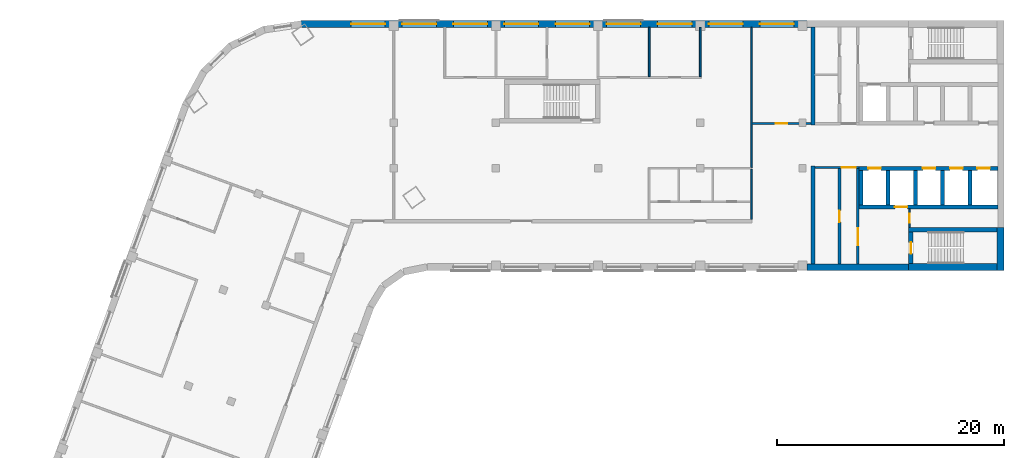
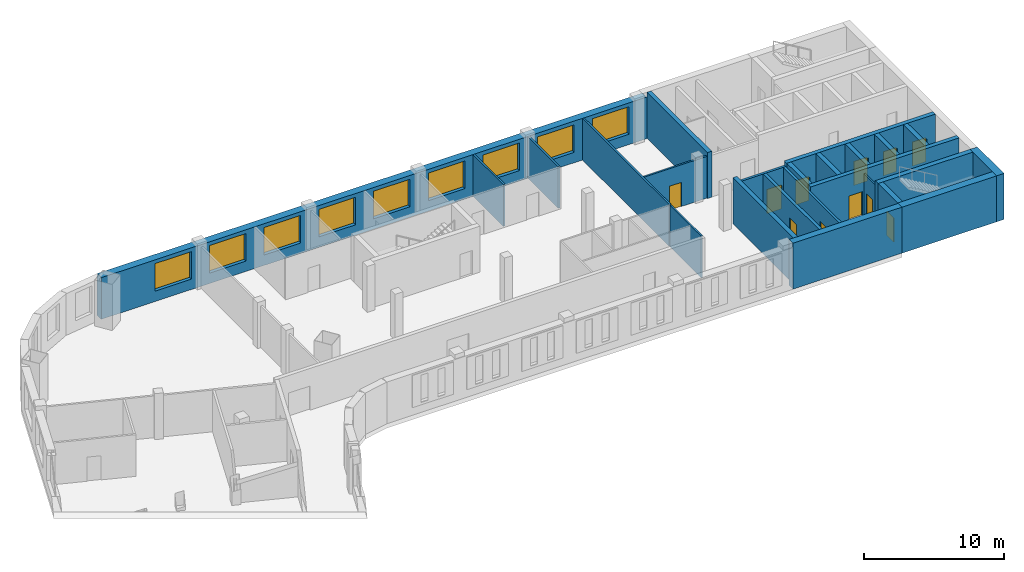
# One storey, part 5 of 8: 24 walls, 11 doors, 9 windows, 20 openings.
"""IFC4 building model written with IfcOpenShell, lengths in metres."""

import ifcopenshell
import ifcopenshell.guid

model = None  # the IFC model being written
_history = None  # IfcOwnerHistory: only IFC2X3 demands one
_inside = {}  # id of a spatial element -> (the spatial element, [elements in it])
_under = {}  # id of a project, library or spatial element -> (it, [spatial elements below it])
_declared = {}  # id of a project -> (the project, [libraries it declares])
_typed = {}  # id of a type object -> (the type object, [elements of that type])
_made_of = {}  # id of a material, layer set ... -> (it, [elements and type objects made of it])


def new_model(schema):
    """Start an empty IFC model of exactly this schema.

    Asked for "IFC4X3", IfcOpenShell would pick the latest addendum, in which some entities
    have other attributes; the version numbers below select the first issue.
    IFC2X3 requires an IfcOwnerHistory on every rooted entity: one is made here for all.
    """
    global model, _history
    if schema == "IFC4X3":
        model = ifcopenshell.file(schema_version=(4, 3, 0, 0))
    else:
        model = ifcopenshell.file(schema=schema)
    _inside.clear()
    _under.clear()
    _declared.clear()
    _typed.clear()
    _made_of.clear()
    _history = None
    if model.schema == "IFC2X3":
        org = make("IfcOrganization", Name="unknown")
        user = make(
            "IfcPersonAndOrganization",
            ThePerson=make("IfcPerson", FamilyName="unknown"),
            TheOrganization=org,
        )
        app = make(
            "IfcApplication",
            ApplicationDeveloper=org,
            Version="unknown",
            ApplicationFullName="unknown",
            ApplicationIdentifier="unknown",
        )
        _history = make(
            "IfcOwnerHistory",
            OwningUser=user,
            OwningApplication=app,
            ChangeAction="ADDED",
            CreationDate=0,
        )
    return model


def make(cls, **values):
    """One entity of the class cls with the attributes given. An attribute that is None is left unset."""
    return model.create_entity(
        cls, **{name: value for name, value in values.items() if value is not None}
    )


def rooted(cls, **values):
    """An entity with a GlobalId (a new one), such as an element, a storey or a relation."""
    return make(cls, GlobalId=ifcopenshell.guid.new(), OwnerHistory=_history, **values)


def si_unit(unit_type, name, prefix=None):
    """IfcSIUnit, for example si_unit("LENGTHUNIT", "METRE", prefix="MILLI")."""
    return make("IfcSIUnit", UnitType=unit_type, Prefix=prefix, Name=name)


def assignment(units):
    """IfcUnitAssignment: the units of a project."""
    return None if units is None else make("IfcUnitAssignment", Units=units)


def point(xyz):
    """IfcCartesianPoint."""
    return None if xyz is None else make("IfcCartesianPoint", Coordinates=xyz)


def direction(xyz):
    """IfcDirection."""
    return None if xyz is None else make("IfcDirection", DirectionRatios=xyz)


def frame(location, z_axis=None, x_axis=None):
    """IfcAxis2Placement3D, a coordinate frame: its origin and axes. An axis left out is left unset."""
    return make(
        "IfcAxis2Placement3D",
        Location=point(location),
        Axis=direction(z_axis),
        RefDirection=direction(x_axis),
    )


def frame_2d(location, x_axis=None):
    """IfcAxis2Placement2D, a coordinate frame in the plane: its origin and x axis."""
    return make(
        "IfcAxis2Placement2D", Location=point(location), RefDirection=direction(x_axis)
    )


def origin():
    """The frame at (0, 0, 0) with its axes left unset."""
    return frame((0.0, 0.0, 0.0))


def place(relative_to, where):
    """IfcLocalPlacement: puts the frame where relative to a parent placement (None: the world)."""
    return make(
        "IfcLocalPlacement", PlacementRelTo=relative_to, RelativePlacement=where
    )


def context(
    kind, dimensions, precision=None, world=None, true_north=None, identifier=None
):
    """IfcGeometricRepresentationContext, for example the 3D "Model" context."""
    return make(
        "IfcGeometricRepresentationContext",
        ContextIdentifier=identifier,
        ContextType=kind,
        CoordinateSpaceDimension=dimensions,
        Precision=precision,
        WorldCoordinateSystem=world,
        TrueNorth=true_north,
    )


def subcontext(parent, identifier, kind, view, scale=None):
    """IfcGeometricRepresentationSubContext, for example "Body" below "Model"."""
    return make(
        "IfcGeometricRepresentationSubContext",
        ContextIdentifier=identifier,
        ContextType=kind,
        ParentContext=parent,
        TargetScale=scale,
        TargetView=view,
    )


def project(units=None, contexts=None):
    """IfcProject with its units and contexts."""
    return rooted(
        "IfcProject",
        Name="project",
        RepresentationContexts=contexts,
        UnitsInContext=assignment(units),
    )


def spatial(cls, under=None, at=None, **own):
    """A site, building, storey or space (cls), placed at a placement, below another one or the project."""
    s = rooted(cls, ObjectPlacement=at, **own)
    if under is not None:
        _under.setdefault(under.id(), (under, []))[1].append(s)
    return s


def profile(cls, at=None, kind="AREA", **sizes):
    """A parametric profile (cls). Its sizes go by their IFC names, for example OverallWidth=200.0."""
    return make(cls, ProfileType=kind, Position=at, **sizes)


def rectangle(**sizes):
    """IfcRectangleProfileDef."""
    return profile("IfcRectangleProfileDef", **sizes)


def extrude(swept, where, along, depth):
    """IfcExtrudedAreaSolid: the profile swept, set in the frame where, extruded along a direction by depth."""
    return make(
        "IfcExtrudedAreaSolid",
        SweptArea=swept,
        Position=where,
        ExtrudedDirection=direction(along),
        Depth=depth,
    )


def shape(context_of_items, identifier, shape_type, items):
    """IfcShapeRepresentation: the items that make up one representation, for example the "Body"."""
    return make(
        "IfcShapeRepresentation",
        ContextOfItems=context_of_items,
        RepresentationIdentifier=identifier,
        RepresentationType=shape_type,
        Items=items,
    )


def material(Name=None, Category=None):
    """IfcMaterial."""
    return make("IfcMaterial", Name=Name, Category=Category)


def layer(
    of_material, thickness, ventilated=None, Name=None, Category=None, Priority=None
):
    """IfcMaterialLayer: one layer of a wall or slab, of a material (None: an air gap)."""
    return make(
        "IfcMaterialLayer",
        Material=of_material,
        LayerThickness=thickness,
        IsVentilated=ventilated,
        Name=Name,
        Category=Category,
        Priority=Priority,
    )


def layer_set(layers, Name=None):
    """IfcMaterialLayerSet."""
    return make("IfcMaterialLayerSet", MaterialLayers=layers, LayerSetName=Name)


def made_of(thing, what):
    """Note that an element or type object is made of a material, layer set ...; save() writes the relation."""
    if what is not None:
        _made_of.setdefault(what.id(), (what, []))[1].append(thing)
    return thing


def type_object(cls, material=None, **own):
    """A type object (cls), such as IfcWallType, which elements share."""
    return made_of(rooted(cls, **own), material)


def element(
    cls,
    number,
    at=None,
    inside=None,
    cuts=None,
    type_object=None,
    material=None,
    context=None,
    identifier="Body",
    shape_type=None,
    held_by="IfcProductDefinitionShape",
    body=None,
    shapes=None,
    **own,
):
    """One element of the class cls, such as IfcWall. Its Tag is "e" and its number.

    at: its placement. inside: the storey or other place that contains it. cuts: it is an
    opening in that element (IfcRelVoidsElement). A single representation is given by context,
    identifier, shape_type and body (its items); several are given by shapes. held_by: the class
    of the entity that holds the representations. save() writes the other relations.
    """
    e = rooted(cls, Tag="e%d" % number, ObjectPlacement=at, **own)
    if body is not None:
        shapes = [shape(context, identifier, shape_type, body)]
    if shapes is not None:
        e.Representation = make(held_by, Representations=shapes)
    if inside is not None:
        _inside.setdefault(inside.id(), (inside, []))[1].append(e)
    if cuts is not None:
        rooted(
            "IfcRelVoidsElement", RelatingBuildingElement=cuts, RelatedOpeningElement=e
        )
    if type_object is not None:
        _typed.setdefault(type_object.id(), (type_object, []))[1].append(e)
    return made_of(e, material)


def fill(opening, filler):
    """IfcRelFillsElement: the door or window that sits in an opening."""
    return rooted(
        "IfcRelFillsElement",
        RelatingOpeningElement=opening,
        RelatedBuildingElement=filler,
    )


def aggregate(whole, parts):
    """IfcRelAggregates: a whole, such as a stair, and the parts it consists of."""
    return rooted("IfcRelAggregates", RelatingObject=whole, RelatedObjects=parts)


def save(model, path):
    """Write the relations noted so far, then the file.

    IfcRelAggregates (storeys below a building ...), IfcRelContainedInSpatialStructure (elements
    in a storey), IfcRelDefinesByType, IfcRelAssociatesMaterial and IfcRelDeclares: one each for
    every whole, place, type object, material and project.
    """
    for whole, parts in _under.values():
        aggregate(whole, parts)
    for where, things in _inside.values():
        rooted(
            "IfcRelContainedInSpatialStructure",
            RelatedElements=things,
            RelatingStructure=where,
        )
    for kind, things in _typed.values():
        rooted("IfcRelDefinesByType", RelatedObjects=things, RelatingType=kind)
    for what, things in _made_of.values():
        rooted("IfcRelAssociatesMaterial", RelatedObjects=things, RelatingMaterial=what)
    for by, libraries in _declared.values():
        rooted("IfcRelDeclares", RelatingContext=by, RelatedDefinitions=libraries)
    model.write(path)


model = new_model("IFC4")

# Units and contexts
model_context = context("Model", 3, precision=1e-05, world=origin(), true_north=direction((0.0, 1.0)))
body_context = subcontext(model_context, "Body", "Model", "MODEL_VIEW")
ifc_project = project(units=[si_unit("LENGTHUNIT", "METRE"), si_unit("AREAUNIT", "SQUARE_METRE"), si_unit("VOLUMEUNIT", "CUBIC_METRE"), si_unit("PLANEANGLEUNIT", "RADIAN"), si_unit("MASSUNIT", "GRAM", prefix="KILO")], contexts=[model_context])

# Site, building, storey
site_placement = place(None, origin())
site = spatial("IfcSite", under=ifc_project, at=site_placement, CompositionType="ELEMENT")
building_placement = place(site_placement, origin())
building = spatial("IfcBuilding", under=site, at=building_placement, Name="Skarvind Civic Tower", CompositionType="ELEMENT")
storey_placement = place(building_placement, frame((0.0, 0.0, 134.5)))
storey = spatial("IfcBuildingStorey", under=building, at=storey_placement, Name="L31", CompositionType="ELEMENT", Elevation=134.5)

# Wall, opening, door
ifc_material_1 = material(Name="Fire-rated masonry partition", Category="masonry")
ifc_layer_1 = layer(ifc_material_1, 0.199951171875)
ifc_layer_set_1 = layer_set([ifc_layer_1], Name="Core enclosure wall 200")
wall_type_1 = type_object("IfcWallType", Name="Core enclosure wall 200", PredefinedType="PARTITIONING", material=ifc_layer_set_1)
wall_1_placement = place(storey_placement, frame((95.22509765625, 126.074951171875, 0.0), z_axis=(0.0, 0.0, 1.0), x_axis=(-1.0, 0.0, 0.0)))
wall_1 = element("IfcWall", 1, at=wall_1_placement, inside=storey, type_object=wall_type_1, Name="Core wall C1", PredefinedType="PARTITIONING", context=body_context, shape_type="SweptSolid", body=[
    extrude(rectangle(XDim=3.875, YDim=0.199951171875, at=frame_2d((1.9375, 0.0))), origin(), (0.0, 0.0, 1.0), 3.625),
])
opening_1_placement = place(wall_1_placement, frame((0.300048828125, 0.0, 0.0)))
opening_1 = element("IfcOpeningElement", 2, at=opening_1_placement, cuts=wall_1, Name="Opening D-L31-C1-07", PredefinedType="OPENING", context=body_context, shape_type="SweptSolid", body=[
    extrude(rectangle(XDim=1.199951171875, YDim=2.10009765625, at=frame_2d((0.60009765625, 1.050048828125))), frame((0.0, 0.10986328125, 0.0), z_axis=(0.0, -1.0, 0.0), x_axis=(1.0, 0.0, 0.0)), (0.0, 0.0, 1.0), 0.219970703125),
])
ifc_material_2 = material(Name="Fire-rated steel door", Category="steel")
door_type_1 = type_object("IfcDoorType", Name="Core lobby door 1200", OperationType="NOTDEFINED", PredefinedType="DOOR", material=ifc_material_2)
door_1_placement = place(opening_1_placement, origin())
door_1 = element("IfcDoor", 3, at=door_1_placement, inside=storey, type_object=door_type_1, Name="Fire door", OperationType="DOUBLE_DOOR_SINGLE_SWING", OverallHeight=2.10009765625, OverallWidth=1.199951171875, PredefinedType="DOOR", context=body_context, shape_type="SweptSolid", body=[
    extrude(rectangle(XDim=1.199951171875, YDim=2.10009765625, at=frame_2d((0.60009765625, 1.050048828125))), frame((0.0, 0.02490234375, 0.0), z_axis=(0.0, -1.0, 0.0), x_axis=(1.0, 0.0, 0.0)), (0.0, 0.0, 1.0), 0.050048828125),
])
fill(opening_1, door_1)

wall_2_placement = place(storey_placement, frame((95.125, 117.550048828125, 0.0), z_axis=(0.0, 0.0, 1.0), x_axis=(0.0, 1.0, 0.0)))
wall_2 = element("IfcWall", 4, at=wall_2_placement, inside=storey, type_object=wall_type_1, Name="Core wall C1", PredefinedType="PARTITIONING", context=body_context, shape_type="SweptSolid", body=[
    extrude(rectangle(XDim=8.425048828125, YDim=0.199951171875, at=frame_2d((4.21240234375, 0.0))), origin(), (0.0, 0.0, 1.0), 3.625),
])
opening_2_placement = place(wall_2_placement, frame((1.6875, 0.0, 0.0)))
opening_2 = element("IfcOpeningElement", 5, at=opening_2_placement, cuts=wall_2, Name="Opening D-L31-C1-08", PredefinedType="OPENING", context=body_context, shape_type="SweptSolid", body=[
    extrude(rectangle(XDim=1.5, YDim=2.10009765625, at=frame_2d((0.75, 1.050048828125))), frame((0.0, 0.10986328125, 0.0), z_axis=(0.0, -1.0, 0.0), x_axis=(1.0, 0.0, 0.0)), (0.0, 0.0, 1.0), 0.219970703125),
])
door_type_2 = type_object("IfcDoorType", Name="Fire door 1500", OperationType="NOTDEFINED", PredefinedType="DOOR", material=ifc_material_2)
door_2_placement = place(opening_2_placement, origin())
door_2 = element("IfcDoor", 6, at=door_2_placement, inside=storey, type_object=door_type_2, Name="Fire door", OperationType="DOUBLE_DOOR_SINGLE_SWING", OverallHeight=2.10009765625, OverallWidth=1.5, PredefinedType="DOOR", context=body_context, shape_type="SweptSolid", body=[
    extrude(rectangle(XDim=1.5, YDim=2.10009765625, at=frame_2d((0.75, 1.050048828125))), frame((0.0, 0.02490234375, 0.0), z_axis=(0.0, -1.0, 0.0), x_axis=(1.0, 0.0, 0.0)), (0.0, 0.0, 1.0), 0.050048828125),
])
fill(opening_2, door_2)

# Wall, openings, doors
ifc_material_3 = material(Name="Concrete C60", Category="concrete")
ifc_layer_2 = layer(ifc_material_3, 0.35009765625)
ifc_layer_set_2 = layer_set([ifc_layer_2], Name="Core wall 350 C60")
wall_type_2 = type_object("IfcWallType", Name="Core wall 350 C60", PredefinedType="SHEAR", material=ifc_layer_set_2)
wall_3_placement = place(storey_placement, frame((107.449951171875, 126.0, 0.0), z_axis=(0.0, 0.0, 1.0), x_axis=(-1.0, 0.0, 0.0)))
wall_3 = element("IfcWall", 7, at=wall_3_placement, inside=storey, type_object=wall_type_2, Name="Core wall C1 north lift row front L31", PredefinedType="SHEAR", context=body_context, shape_type="SweptSolid", body=[
    extrude(rectangle(XDim=12.224853515625, YDim=0.35009765625, at=frame_2d((6.1123046875, 0.0))), origin(), (0.0, 0.0, 1.0), 4.0),
])
opening_3_placement = place(wall_3_placement, frame((0.699951171875, 0.0, 0.0)))
opening_3 = element("IfcOpeningElement", 8, at=opening_3_placement, cuts=wall_3, Name="Opening LD33101", PredefinedType="OPENING", context=body_context, shape_type="SweptSolid", body=[
    extrude(rectangle(XDim=1.10009765625, YDim=2.10009765625, at=frame_2d((0.550048828125, 1.050048828125))), frame((0.0, 0.18505859375, 0.0), z_axis=(0.0, -1.0, 0.0), x_axis=(1.0, 0.0, 0.0)), (0.0, 0.0, 1.0), 0.3701171875),
])
opening_4_placement = place(wall_3_placement, frame((3.10009765625, 0.0, 0.0)))
opening_4 = element("IfcOpeningElement", 9, at=opening_4_placement, cuts=wall_3, Name="Opening LD33102", PredefinedType="OPENING", context=body_context, shape_type="SweptSolid", body=[
    extrude(rectangle(XDim=1.10009765625, YDim=2.10009765625, at=frame_2d((0.550048828125, 1.050048828125))), frame((0.0, 0.18505859375, 0.0), z_axis=(0.0, -1.0, 0.0), x_axis=(1.0, 0.0, 0.0)), (0.0, 0.0, 1.0), 0.3701171875),
])
opening_5_placement = place(wall_3_placement, frame((5.5, 0.0, 0.0)))
opening_5 = element("IfcOpeningElement", 10, at=opening_5_placement, cuts=wall_3, Name="Opening LD33103", PredefinedType="OPENING", context=body_context, shape_type="SweptSolid", body=[
    extrude(rectangle(XDim=1.10009765625, YDim=2.10009765625, at=frame_2d((0.550048828125, 1.050048828125))), frame((0.0, 0.18505859375, 0.0), z_axis=(0.0, -1.0, 0.0), x_axis=(1.0, 0.0, 0.0)), (0.0, 0.0, 1.0), 0.3701171875),
])
opening_6_placement = place(wall_3_placement, frame((10.300048828125, 0.0, 0.0)))
opening_6 = element("IfcOpeningElement", 11, at=opening_6_placement, cuts=wall_3, Name="Opening LD33105", PredefinedType="OPENING", context=body_context, shape_type="SweptSolid", body=[
    extrude(rectangle(XDim=1.10009765625, YDim=2.10009765625, at=frame_2d((0.550048828125, 1.050048828125))), frame((0.0, 0.18505859375, 0.0), z_axis=(0.0, -1.0, 0.0), x_axis=(1.0, 0.0, 0.0)), (0.0, 0.0, 1.0), 0.3701171875),
])
ifc_material_4 = material(Name="Stainless steel landing door", Category="steel")
door_type_3 = type_object("IfcDoorType", Name="Lift landing door 1100", OperationType="DOUBLE_DOOR_SLIDING", PredefinedType="DOOR", material=ifc_material_4)
door_3_placement = place(opening_3_placement, origin())
door_3 = element("IfcDoor", 12, at=door_3_placement, inside=storey, type_object=door_type_3, Name="Lift landing door", OperationType="DOUBLE_DOOR_SLIDING", OverallHeight=2.10009765625, OverallWidth=1.10009765625, PredefinedType="DOOR", context=body_context, shape_type="SweptSolid", body=[
    extrude(rectangle(XDim=1.10009765625, YDim=2.10009765625, at=frame_2d((0.550048828125, 1.050048828125))), frame((0.0, 0.02490234375, 0.0), z_axis=(0.0, -1.0, 0.0), x_axis=(1.0, 0.0, 0.0)), (0.0, 0.0, 1.0), 0.050048828125),
])
fill(opening_3, door_3)
door_4_placement = place(opening_4_placement, origin())
door_4 = element("IfcDoor", 13, at=door_4_placement, inside=storey, type_object=door_type_3, Name="Lift landing door", OperationType="DOUBLE_DOOR_SLIDING", OverallHeight=2.10009765625, OverallWidth=1.10009765625, PredefinedType="DOOR", context=body_context, shape_type="SweptSolid", body=[
    extrude(rectangle(XDim=1.10009765625, YDim=2.10009765625, at=frame_2d((0.550048828125, 1.050048828125))), frame((0.0, 0.02490234375, 0.0), z_axis=(0.0, -1.0, 0.0), x_axis=(1.0, 0.0, 0.0)), (0.0, 0.0, 1.0), 0.050048828125),
])
fill(opening_4, door_4)
door_5_placement = place(opening_5_placement, origin())
door_5 = element("IfcDoor", 14, at=door_5_placement, inside=storey, type_object=door_type_3, Name="Lift landing door", OperationType="DOUBLE_DOOR_SLIDING", OverallHeight=2.10009765625, OverallWidth=1.10009765625, PredefinedType="DOOR", context=body_context, shape_type="SweptSolid", body=[
    extrude(rectangle(XDim=1.10009765625, YDim=2.10009765625, at=frame_2d((0.550048828125, 1.050048828125))), frame((0.0, 0.02490234375, 0.0), z_axis=(0.0, -1.0, 0.0), x_axis=(1.0, 0.0, 0.0)), (0.0, 0.0, 1.0), 0.050048828125),
])
fill(opening_5, door_5)
door_6_placement = place(opening_6_placement, origin())
door_6 = element("IfcDoor", 15, at=door_6_placement, inside=storey, type_object=door_type_3, Name="Lift landing door", OperationType="DOUBLE_DOOR_SLIDING", OverallHeight=2.10009765625, OverallWidth=1.10009765625, PredefinedType="DOOR", context=body_context, shape_type="SweptSolid", body=[
    extrude(rectangle(XDim=1.10009765625, YDim=2.10009765625, at=frame_2d((0.550048828125, 1.050048828125))), frame((0.0, 0.02490234375, 0.0), z_axis=(0.0, -1.0, 0.0), x_axis=(1.0, 0.0, 0.0)), (0.0, 0.0, 1.0), 0.050048828125),
])
fill(opening_6, door_6)

# Wall, opening, door
wall_4_placement = place(storey_placement, frame((107.449951171875, 122.60009765625, 0.0), z_axis=(0.0, 0.0, 1.0), x_axis=(-1.0, 0.0, 0.0)))
wall_4 = element("IfcWall", 16, at=wall_4_placement, inside=storey, type_object=wall_type_2, Name="Core wall C1 north lift row back L31", PredefinedType="SHEAR", context=body_context, shape_type="SweptSolid", body=[
    extrude(rectangle(XDim=12.224853515625, YDim=0.35009765625, at=frame_2d((6.1123046875, 0.0))), origin(), (0.0, 0.0, 1.0), 4.0),
])
opening_7_placement = place(wall_4_placement, frame((7.949951171875, 0.0, 0.0)))
opening_7 = element("IfcOpeningElement", 17, at=opening_7_placement, cuts=wall_4, Name="Opening LD33104", PredefinedType="OPENING", context=body_context, shape_type="SweptSolid", body=[
    extrude(rectangle(XDim=1.10009765625, YDim=2.10009765625, at=frame_2d((0.550048828125, 1.050048828125))), frame((0.0, 0.18505859375, 0.0), z_axis=(0.0, -1.0, 0.0), x_axis=(1.0, 0.0, 0.0)), (0.0, 0.0, 1.0), 0.3701171875),
])
door_7_placement = place(opening_7_placement, origin())
door_7 = element("IfcDoor", 18, at=door_7_placement, inside=storey, type_object=door_type_3, Name="Lift landing door", OperationType="DOUBLE_DOOR_SLIDING", OverallHeight=2.10009765625, OverallWidth=1.10009765625, PredefinedType="DOOR", context=body_context, shape_type="SweptSolid", body=[
    extrude(rectangle(XDim=1.10009765625, YDim=2.10009765625, at=frame_2d((0.550048828125, 1.050048828125))), frame((0.0, 0.02490234375, 0.0), z_axis=(0.0, -1.0, 0.0), x_axis=(1.0, 0.0, 0.0)), (0.0, 0.0, 1.0), 0.050048828125),
])
fill(opening_7, door_7)

# Walls
for number, where, z_axis, x_axis, name in (
    (19, (105.0, 125.824951171875, 0.0), (0.0, 0.0, 1.0), (0.0, -1.0, 0.0), "Core wall C1 north lift row division 1 L31"),
    (20, (102.60009765625, 125.824951171875, 0.0), (0.0, 0.0, 1.0), (0.0, -1.0, 0.0), "Core wall C1 north lift row division 2 L31"),
    (21, (100.199951171875, 125.824951171875, 0.0), (0.0, 0.0, 1.0), (0.0, -1.0, 0.0), "Core wall C1 north lift row division 3 L31"),
    (22, (97.800048828125, 125.824951171875, 0.0), (0.0, 0.0, 1.0), (0.0, -1.0, 0.0), "Core wall C1 north lift row division 4 L31"),
    (23, (95.39990234375, 125.824951171875, 0.0), (0.0, 0.0, 1.0), (0.0, -1.0, 0.0), "Core wall C1 north lift row division 5 L31"),
):
    element("IfcWall", number, at=place(storey_placement, frame(where, z_axis=z_axis, x_axis=x_axis)), inside=storey, type_object=wall_type_2, Name=name, PredefinedType="SHEAR", context=body_context, shape_type="SweptSolid", body=[
        extrude(rectangle(XDim=3.050048828125, YDim=0.35009765625, at=frame_2d((1.52490234375, 0.0))), origin(), (0.0, 0.0, 1.0), 4.0),
    ])
for number, where, z_axis, x_axis, name in (
    (24, (91.175048828125, 138.449951171875, 0.0), (0.0, 0.0, 1.0), (0.0, -1.0, 0.0), "Core wall C1 south inner face L31"),
    (25, (91.175048828125, 126.199951171875, 0.0), (0.0, 0.0, 1.0), (0.0, -1.0, 0.0), "Core wall C1 north inner face L31"),
):
    element("IfcWall", number, at=place(storey_placement, frame(where, z_axis=z_axis, x_axis=x_axis)), inside=storey, type_object=wall_type_2, Name=name, PredefinedType="SHEAR", context=body_context, shape_type="SweptSolid", body=[
        extrude(rectangle(XDim=8.64990234375, YDim=0.35009765625, at=frame_2d((4.324951171875, 0.0))), origin(), (0.0, 0.0, 1.0), 4.0),
    ])
ifc_layer_3 = layer(ifc_material_3, 0.39990234375)
ifc_layer_set_3 = layer_set([ifc_layer_3], Name="Core wall 400 C60")
wall_type_3 = type_object("IfcWallType", Name="Core wall 400 C60", PredefinedType="SHEAR", material=ifc_layer_set_3)
wall_5_placement = place(storey_placement, frame((107.39990234375, 120.60009765625, 0.0), z_axis=(0.0, 0.0, 1.0), x_axis=(-1.0, 0.0, 0.0)))
element("IfcWall", 26, at=wall_5_placement, inside=storey, type_object=wall_type_3, Name="Core wall C1 north stair inner L31", PredefinedType="SHEAR", context=body_context, shape_type="SweptSolid", body=[
    extrude(rectangle(XDim=7.7998046875, YDim=0.39990234375, at=frame_2d((3.89990234375, 0.0))), origin(), (0.0, 0.0, 1.0), 4.0),
])

# Wall, opening, door
wall_6_placement = place(storey_placement, frame((99.800048828125, 120.39990234375, 0.0), z_axis=(0.0, 0.0, 1.0), x_axis=(0.0, -1.0, 0.0)))
wall_6 = element("IfcWall", 27, at=wall_6_placement, inside=storey, type_object=wall_type_3, Name="Core wall C1 north stair end L31", PredefinedType="SHEAR", context=body_context, shape_type="SweptSolid", body=[
    extrude(rectangle(XDim=2.7998046875, YDim=0.39990234375, at=frame_2d((1.39990234375, 0.0))), origin(), (0.0, 0.0, 1.0), 4.0),
])
opening_8_placement = place(wall_6_placement, frame((0.925048828125, 0.0, 0.0)))
opening_8 = element("IfcOpeningElement", 28, at=opening_8_placement, cuts=wall_6, Name="Opening D-L31-C1-09", PredefinedType="OPENING", context=body_context, shape_type="SweptSolid", body=[
    extrude(rectangle(XDim=1.0, YDim=2.10009765625, at=frame_2d((0.5, 1.050048828125))), frame((0.0, 0.2099609375, 0.0), z_axis=(0.0, -1.0, 0.0), x_axis=(1.0, 0.0, 0.0)), (0.0, 0.0, 1.0), 0.419921875),
])
door_type_4 = type_object("IfcDoorType", Name="Fire door 1000", OperationType="NOTDEFINED", PredefinedType="DOOR", material=ifc_material_2)
door_8_placement = place(opening_8_placement, origin())
door_8 = element("IfcDoor", 29, at=door_8_placement, inside=storey, type_object=door_type_4, Name="Fire door", OperationType="SINGLE_SWING_LEFT", OverallHeight=2.10009765625, OverallWidth=1.0, PredefinedType="DOOR", context=body_context, shape_type="SweptSolid", body=[
    extrude(rectangle(XDim=1.0, YDim=2.10009765625, at=frame_2d((0.5, 1.050048828125))), frame((0.0, 0.02490234375, 0.0), z_axis=(0.0, -1.0, 0.0), x_axis=(1.0, 0.0, 0.0)), (0.0, 0.0, 1.0), 0.050048828125),
])
fill(opening_8, door_8)

# Walls
ifc_layer_4 = layer(ifc_material_3, 0.550048828125)
ifc_layer_set_4 = layer_set([ifc_layer_4], Name="Core wall 550 C60")
wall_type_4 = type_object("IfcWallType", Name="Core wall 550 C60", PredefinedType="SHEAR", material=ifc_layer_set_4)
wall_7_placement = place(storey_placement, frame((99.60009765625, 117.27490234375, 0.0), z_axis=(0.0, 0.0, 1.0), x_axis=(-1.0, 0.0, 0.0)))
element("IfcWall", 30, at=wall_7_placement, inside=storey, type_object=wall_type_4, Name="Core wall C1 north side L31", PredefinedType="SHEAR", context=body_context, shape_type="SweptSolid", body=[
    extrude(rectangle(XDim=8.9501953125, YDim=0.550048828125, at=frame_2d((4.47509765625, 0.0))), origin(), (0.0, 0.0, 1.0), 4.0),
])
ifc_layer_5 = layer(ifc_material_3, 0.60009765625)
ifc_layer_set_5 = layer_set([ifc_layer_5], Name="Core wall 600 C60")
wall_type_5 = type_object("IfcWallType", Name="Core wall 600 C60", PredefinedType="SHEAR", material=ifc_layer_set_5)
wall_8_placement = place(storey_placement, frame((107.699951171875, 120.800048828125, 0.0), z_axis=(0.0, 0.0, 1.0), x_axis=(0.0, -1.0, 0.0)))
element("IfcWall", 31, at=wall_8_placement, inside=storey, type_object=wall_type_5, Name="Core wall C1 tip at the north stair L31", PredefinedType="SHEAR", context=body_context, shape_type="SweptSolid", body=[
    extrude(rectangle(XDim=3.800048828125, YDim=0.60009765625, at=frame_2d((1.89990234375, 0.0))), origin(), (0.0, 0.0, 1.0), 4.0),
])
wall_9_placement = place(storey_placement, frame((107.39990234375, 117.300048828125, 0.0), z_axis=(0.0, 0.0, 1.0), x_axis=(-1.0, 0.0, 0.0)))
element("IfcWall", 32, at=wall_9_placement, inside=storey, type_object=wall_type_5, Name="Core wall C1 north side at the stair L31", PredefinedType="SHEAR", context=body_context, shape_type="SweptSolid", body=[
    extrude(rectangle(XDim=7.7998046875, YDim=0.60009765625, at=frame_2d((3.89990234375, 0.0))), origin(), (0.0, 0.0, 1.0), 4.0),
])
ifc_material_5 = material(Name="Plasterboard partition on steel studs", Category="steel")
ifc_layer_6 = layer(ifc_material_5, 0.14990234375)
ifc_layer_set_6 = layer_set([ifc_layer_6], Name="PARTITION 150")
wall_type_6 = type_object("IfcWallType", Name="PARTITION 150", PredefinedType="PARTITIONING", material=ifc_layer_set_6)
for number, where, z_axis, x_axis, name in (
    (33, (76.75, 134.074951171875, 0.0), (0.0, 0.0, 1.0), (0.0, 1.0, 0.0), "Partition 31.025"),
    (34, (81.25, 138.39990234375, 0.0), (0.0, 0.0, 1.0), (0.0, -1.0, 0.0), "Partition 31.027"),
):
    element("IfcWall", number, at=place(storey_placement, frame(where, z_axis=z_axis, x_axis=x_axis)), inside=storey, type_object=wall_type_6, Name=name, PredefinedType="PARTITIONING", context=body_context, shape_type="SweptSolid", body=[
        extrude(rectangle(XDim=4.324951171875, YDim=0.14990234375, at=frame_2d((2.16259765625, 0.0))), origin(), (0.0, 0.0, 1.0), 3.625),
    ])
wall_10_placement = place(storey_placement, frame((85.75, 126.06005859375, 0.0), z_axis=(0.0, 0.0, 1.0), x_axis=(0.0, 1.0, 0.0)))
element("IfcWall", 35, at=wall_10_placement, inside=storey, type_object=wall_type_6, Name="Partition 31.030", PredefinedType="PARTITIONING", context=body_context, shape_type="SweptSolid", body=[
    extrude(rectangle(XDim=12.33984375, YDim=0.14990234375, at=frame_2d((6.169921875, 0.0))), origin(), (0.0, 0.0, 1.0), 3.625),
])

# Wall, opening, door
wall_11_placement = place(storey_placement, frame((85.824951171875, 129.949951171875, 0.0), z_axis=(0.0, 0.0, 1.0), x_axis=(1.0, 0.0, 0.0)))
wall_11 = element("IfcWall", 36, at=wall_11_placement, inside=storey, type_object=wall_type_6, Name="Partition 31.031", PredefinedType="PARTITIONING", context=body_context, shape_type="SweptSolid", body=[
    extrude(rectangle(XDim=5.175048828125, YDim=0.14990234375, at=frame_2d((2.58740234375, 0.0))), origin(), (0.0, 0.0, 1.0), 3.625),
])
opening_9_placement = place(wall_11_placement, frame((2.077392578125, 0.0, 0.0)))
opening_9 = element("IfcOpeningElement", 37, at=opening_9_placement, cuts=wall_11, Name="Opening L31-D001", PredefinedType="OPENING", context=body_context, shape_type="SweptSolid", body=[
    extrude(rectangle(XDim=1.0, YDim=2.10009765625, at=frame_2d((0.5, 1.050048828125))), frame((0.0, 0.0849609375, 0.0), z_axis=(0.0, -1.0, 0.0), x_axis=(1.0, 0.0, 0.0)), (0.0, 0.0, 1.0), 0.169921875),
])
ifc_material_6 = material(Name="Timber door leaf", Category="wood")
door_type_5 = type_object("IfcDoorType", Name="D1 1000x2100", OperationType="NOTDEFINED", PredefinedType="DOOR", material=ifc_material_6)
door_9_placement = place(opening_9_placement, origin())
door_9 = element("IfcDoor", 38, at=door_9_placement, inside=storey, type_object=door_type_5, Name="Door L31-D001", OperationType="SINGLE_SWING_LEFT", OverallHeight=2.10009765625, OverallWidth=1.0, PredefinedType="DOOR", context=body_context, shape_type="SweptSolid", body=[
    extrude(rectangle(XDim=1.0, YDim=2.10009765625, at=frame_2d((0.5, 1.050048828125))), frame((0.0, 0.02490234375, 0.0), z_axis=(0.0, -1.0, 0.0), x_axis=(1.0, 0.0, 0.0)), (0.0, 0.0, 1.0), 0.050048828125),
])
fill(opening_9, door_9)

ifc_layer_7 = layer(ifc_material_1, 0.125)
ifc_layer_set_7 = layer_set([ifc_layer_7], Name="Riser wall 125")
wall_type_7 = type_object("IfcWallType", Name="Riser wall 125", PredefinedType="PARTITIONING", material=ifc_layer_set_7)
wall_12_placement = place(storey_placement, frame((99.66259765625, 120.800048828125, 0.0), z_axis=(0.0, 0.0, 1.0), x_axis=(0.0, 1.0, 0.0)))
wall_12 = element("IfcWall", 39, at=wall_12_placement, inside=storey, type_object=wall_type_7, Name="Core wall C1", PredefinedType="PARTITIONING", context=body_context, shape_type="SweptSolid", body=[
    extrude(rectangle(XDim=1.625, YDim=0.125, at=frame_2d((0.8125, 0.0))), origin(), (0.0, 0.0, 1.0), 3.625),
])
opening_10_placement = place(wall_12_placement, frame((0.41259765625, 0.0, 0.0)))
opening_10 = element("IfcOpeningElement", 40, at=opening_10_placement, cuts=wall_12, Name="Opening D-L31-C1-10", PredefinedType="OPENING", context=body_context, shape_type="SweptSolid", body=[
    extrude(rectangle(XDim=0.800048828125, YDim=2.10009765625, at=frame_2d((0.39990234375, 1.050048828125))), frame((0.0, 0.072509765625, 0.0), z_axis=(0.0, -1.0, 0.0), x_axis=(1.0, 0.0, 0.0)), (0.0, 0.0, 1.0), 0.14501953125),
])
door_type_6 = type_object("IfcDoorType", Name="Core riser door 800", OperationType="NOTDEFINED", PredefinedType="DOOR", material=ifc_material_2)
door_10_placement = place(opening_10_placement, origin())
door_10 = element("IfcDoor", 41, at=door_10_placement, inside=storey, type_object=door_type_6, Name="Riser door", OperationType="SINGLE_SWING_RIGHT", OverallHeight=2.10009765625, OverallWidth=0.800048828125, PredefinedType="DOOR", context=body_context, shape_type="SweptSolid", body=[
    extrude(rectangle(XDim=0.800048828125, YDim=2.10009765625, at=frame_2d((0.39990234375, 1.050048828125))), frame((0.0, 0.02490234375, 0.0), z_axis=(0.0, -1.0, 0.0), x_axis=(1.0, 0.0, 0.0)), (0.0, 0.0, 1.0), 0.050048828125),
])
fill(opening_10, door_10)

ifc_layer_8 = layer(ifc_material_1, 0.25)
ifc_layer_set_8 = layer_set([ifc_layer_8], Name="Service block wall 250")
wall_type_8 = type_object("IfcWallType", Name="Service block wall 250", PredefinedType="PARTITIONING", material=ifc_layer_set_8)
wall_13_placement = place(storey_placement, frame((93.5, 117.550048828125, 0.0), z_axis=(0.0, 0.0, 1.0), x_axis=(0.0, 1.0, 0.0)))
wall_13 = element("IfcWall", 42, at=wall_13_placement, inside=storey, type_object=wall_type_8, Name="Core wall C1", PredefinedType="PARTITIONING", context=body_context, shape_type="SweptSolid", body=[
    extrude(rectangle(XDim=8.425048828125, YDim=0.25, at=frame_2d((4.21240234375, 0.0))), origin(), (0.0, 0.0, 1.0), 3.625),
])
opening_11_placement = place(wall_13_placement, frame((3.71240234375, 0.0, 0.0)))
opening_11 = element("IfcOpeningElement", 43, at=opening_11_placement, cuts=wall_13, Name="Opening D-L31-C1-11", PredefinedType="OPENING", context=body_context, shape_type="SweptSolid", body=[
    extrude(rectangle(XDim=1.0, YDim=2.10009765625, at=frame_2d((0.5, 1.050048828125))), frame((0.0, 0.135009765625, 0.0), z_axis=(0.0, -1.0, 0.0), x_axis=(1.0, 0.0, 0.0)), (0.0, 0.0, 1.0), 0.27001953125),
])
door_11_placement = place(opening_11_placement, origin())
door_11 = element("IfcDoor", 44, at=door_11_placement, inside=storey, type_object=door_type_4, Name="Fire door", OperationType="SINGLE_SWING_LEFT", OverallHeight=2.10009765625, OverallWidth=1.0, PredefinedType="DOOR", context=body_context, shape_type="SweptSolid", body=[
    extrude(rectangle(XDim=1.0, YDim=2.10009765625, at=frame_2d((0.5, 1.050048828125))), frame((0.0, 0.02490234375, 0.0), z_axis=(0.0, -1.0, 0.0), x_axis=(1.0, 0.0, 0.0)), (0.0, 0.0, 1.0), 0.050048828125),
])
fill(opening_11, door_11)

# Wall
ifc_material_7 = material(Name="Moisture-resistant gypsum board on steel studs", Category="steel")
ifc_layer_9 = layer(ifc_material_7, 0.125)
ifc_layer_set_9 = layer_set([ifc_layer_9], Name="WC PARTITION 125")
wall_type_9 = type_object("IfcWallType", Name="WC PARTITION 125", PredefinedType="PARTITIONING", material=ifc_layer_set_9)
wall_14_placement = place(storey_placement, frame((85.75, 121.5, 0.0), z_axis=(0.0, 0.0, 1.0), x_axis=(0.0, 1.0, 0.0)))
element("IfcWall", 45, at=wall_14_placement, inside=storey, type_object=wall_type_9, Name="Partition 31.029", PredefinedType="PARTITIONING", context=body_context, shape_type="SweptSolid", body=[
    extrude(rectangle(XDim=4.427978515625, YDim=0.125, at=frame_2d((2.2138671875, 0.0))), origin(), (0.0, 0.0, 1.0), 3.625),
])

# Wall, openings, windows
ifc_material_8 = material(Name="Limestone masonry cladding on insulated backing", Category="masonry")
ifc_layer_10 = layer(ifc_material_8, 0.60009765625)
ifc_layer_set_10 = layer_set([ifc_layer_10], Name="WX1 STONE FACADE WALL 600")
wall_type_10 = type_object("IfcWallType", Name="WX1 STONE FACADE WALL 600", PredefinedType="SOLIDWALL", material=ifc_layer_set_10)
wall_15_placement = place(storey_placement, frame((46.095458984375, 138.699951171875, 0.0), z_axis=(0.0, 0.0, 1.0), x_axis=(1.0, 0.0, 0.0)))
wall_15 = element("IfcWall", 46, at=wall_15_placement, inside=storey, type_object=wall_type_10, Name="STONE FACADE WALL", PredefinedType="SOLIDWALL", context=body_context, shape_type="SweptSolid", body=[
    extrude(rectangle(XDim=44.884521484375, YDim=0.60009765625, at=frame_2d((22.4423828125, 0.0))), origin(), (0.0, 0.0, 1.0), 3.625),
])
opening_12_placement = place(wall_15_placement, frame((4.404541015625, 0.0, 0.89990234375)))
opening_12 = element("IfcOpeningElement", 47, at=opening_12_placement, cuts=wall_15, Name="Opening WN1", PredefinedType="OPENING", context=body_context, shape_type="SweptSolid", body=[
    extrude(rectangle(XDim=3.0, YDim=2.39990234375, at=frame_2d((1.5, 1.199951171875))), frame((0.0, 0.31005859375, 0.0), z_axis=(0.0, -1.0, 0.0), x_axis=(1.0, 0.0, 0.0)), (0.0, 0.0, 1.0), 0.6201171875),
])
opening_13_placement = place(wall_15_placement, frame((8.904541015625, 0.0, 0.89990234375)))
opening_13 = element("IfcOpeningElement", 48, at=opening_13_placement, cuts=wall_15, Name="Opening WN1", PredefinedType="OPENING", context=body_context, shape_type="SweptSolid", body=[
    extrude(rectangle(XDim=3.0, YDim=2.39990234375, at=frame_2d((1.5, 1.199951171875))), frame((0.0, 0.31005859375, 0.0), z_axis=(0.0, -1.0, 0.0), x_axis=(1.0, 0.0, 0.0)), (0.0, 0.0, 1.0), 0.6201171875),
])
opening_14_placement = place(wall_15_placement, frame((13.404541015625, 0.0, 0.89990234375)))
opening_14 = element("IfcOpeningElement", 49, at=opening_14_placement, cuts=wall_15, Name="Opening WN1", PredefinedType="OPENING", context=body_context, shape_type="SweptSolid", body=[
    extrude(rectangle(XDim=3.0, YDim=2.39990234375, at=frame_2d((1.5, 1.199951171875))), frame((0.0, 0.31005859375, 0.0), z_axis=(0.0, -1.0, 0.0), x_axis=(1.0, 0.0, 0.0)), (0.0, 0.0, 1.0), 0.6201171875),
])
opening_15_placement = place(wall_15_placement, frame((17.904541015625, 0.0, 0.89990234375)))
opening_15 = element("IfcOpeningElement", 50, at=opening_15_placement, cuts=wall_15, Name="Opening WN1", PredefinedType="OPENING", context=body_context, shape_type="SweptSolid", body=[
    extrude(rectangle(XDim=3.0, YDim=2.39990234375, at=frame_2d((1.5, 1.199951171875))), frame((0.0, 0.31005859375, 0.0), z_axis=(0.0, -1.0, 0.0), x_axis=(1.0, 0.0, 0.0)), (0.0, 0.0, 1.0), 0.6201171875),
])
opening_16_placement = place(wall_15_placement, frame((22.404541015625, 0.0, 0.89990234375)))
opening_16 = element("IfcOpeningElement", 51, at=opening_16_placement, cuts=wall_15, Name="Opening WN1", PredefinedType="OPENING", context=body_context, shape_type="SweptSolid", body=[
    extrude(rectangle(XDim=3.0, YDim=2.39990234375, at=frame_2d((1.5, 1.199951171875))), frame((0.0, 0.31005859375, 0.0), z_axis=(0.0, -1.0, 0.0), x_axis=(1.0, 0.0, 0.0)), (0.0, 0.0, 1.0), 0.6201171875),
])
opening_17_placement = place(wall_15_placement, frame((26.904541015625, 0.0, 0.89990234375)))
opening_17 = element("IfcOpeningElement", 52, at=opening_17_placement, cuts=wall_15, Name="Opening WN1", PredefinedType="OPENING", context=body_context, shape_type="SweptSolid", body=[
    extrude(rectangle(XDim=3.0, YDim=2.39990234375, at=frame_2d((1.5, 1.199951171875))), frame((0.0, 0.31005859375, 0.0), z_axis=(0.0, -1.0, 0.0), x_axis=(1.0, 0.0, 0.0)), (0.0, 0.0, 1.0), 0.6201171875),
])
opening_18_placement = place(wall_15_placement, frame((31.404541015625, 0.0, 0.89990234375)))
opening_18 = element("IfcOpeningElement", 53, at=opening_18_placement, cuts=wall_15, Name="Opening WN1", PredefinedType="OPENING", context=body_context, shape_type="SweptSolid", body=[
    extrude(rectangle(XDim=3.0, YDim=2.39990234375, at=frame_2d((1.5, 1.199951171875))), frame((0.0, 0.31005859375, 0.0), z_axis=(0.0, -1.0, 0.0), x_axis=(1.0, 0.0, 0.0)), (0.0, 0.0, 1.0), 0.6201171875),
])
opening_19_placement = place(wall_15_placement, frame((35.904541015625, 0.0, 0.89990234375)))
opening_19 = element("IfcOpeningElement", 54, at=opening_19_placement, cuts=wall_15, Name="Opening WN1", PredefinedType="OPENING", context=body_context, shape_type="SweptSolid", body=[
    extrude(rectangle(XDim=3.0, YDim=2.39990234375, at=frame_2d((1.5, 1.199951171875))), frame((0.0, 0.31005859375, 0.0), z_axis=(0.0, -1.0, 0.0), x_axis=(1.0, 0.0, 0.0)), (0.0, 0.0, 1.0), 0.6201171875),
])
opening_20_placement = place(wall_15_placement, frame((40.404541015625, 0.0, 0.89990234375)))
opening_20 = element("IfcOpeningElement", 55, at=opening_20_placement, cuts=wall_15, Name="Opening WN1", PredefinedType="OPENING", context=body_context, shape_type="SweptSolid", body=[
    extrude(rectangle(XDim=3.0, YDim=2.39990234375, at=frame_2d((1.5, 1.199951171875))), frame((0.0, 0.31005859375, 0.0), z_axis=(0.0, -1.0, 0.0), x_axis=(1.0, 0.0, 0.0)), (0.0, 0.0, 1.0), 0.6201171875),
])
ifc_material_9 = material(Name="Timber frame, double glazing, timber-lined reveal", Category="wood")
window_type = type_object("IfcWindowType", Name="WN1 PUNCHED STONE WINDOW 3000 x 2400", PartitioningType="SINGLE_PANEL", PredefinedType="WINDOW", material=ifc_material_9)
window_1_placement = place(opening_12_placement, origin())
window_1 = element("IfcWindow", 56, at=window_1_placement, inside=storey, type_object=window_type, Name="WN1 WINDOW", OverallHeight=2.39990234375, OverallWidth=3.0, PartitioningType="SINGLE_PANEL", PredefinedType="WINDOW", context=body_context, shape_type="SweptSolid", body=[
    extrude(rectangle(XDim=3.0, YDim=2.39990234375, at=frame_2d((1.5, 1.199951171875))), frame((0.0, 0.030029296875, 0.0), z_axis=(0.0, -1.0, 0.0), x_axis=(1.0, 0.0, 0.0)), (0.0, 0.0, 1.0), 0.06005859375),
])
fill(opening_12, window_1)
window_2_placement = place(opening_13_placement, origin())
window_2 = element("IfcWindow", 57, at=window_2_placement, inside=storey, type_object=window_type, Name="WN1 WINDOW", OverallHeight=2.39990234375, OverallWidth=3.0, PartitioningType="SINGLE_PANEL", PredefinedType="WINDOW", context=body_context, shape_type="SweptSolid", body=[
    extrude(rectangle(XDim=3.0, YDim=2.39990234375, at=frame_2d((1.5, 1.199951171875))), frame((0.0, 0.030029296875, 0.0), z_axis=(0.0, -1.0, 0.0), x_axis=(1.0, 0.0, 0.0)), (0.0, 0.0, 1.0), 0.06005859375),
])
fill(opening_13, window_2)
window_3_placement = place(opening_14_placement, origin())
window_3 = element("IfcWindow", 58, at=window_3_placement, inside=storey, type_object=window_type, Name="WN1 WINDOW", OverallHeight=2.39990234375, OverallWidth=3.0, PartitioningType="SINGLE_PANEL", PredefinedType="WINDOW", context=body_context, shape_type="SweptSolid", body=[
    extrude(rectangle(XDim=3.0, YDim=2.39990234375, at=frame_2d((1.5, 1.199951171875))), frame((0.0, 0.030029296875, 0.0), z_axis=(0.0, -1.0, 0.0), x_axis=(1.0, 0.0, 0.0)), (0.0, 0.0, 1.0), 0.06005859375),
])
fill(opening_14, window_3)
window_4_placement = place(opening_15_placement, origin())
window_4 = element("IfcWindow", 59, at=window_4_placement, inside=storey, type_object=window_type, Name="WN1 WINDOW", OverallHeight=2.39990234375, OverallWidth=3.0, PartitioningType="SINGLE_PANEL", PredefinedType="WINDOW", context=body_context, shape_type="SweptSolid", body=[
    extrude(rectangle(XDim=3.0, YDim=2.39990234375, at=frame_2d((1.5, 1.199951171875))), frame((0.0, 0.030029296875, 0.0), z_axis=(0.0, -1.0, 0.0), x_axis=(1.0, 0.0, 0.0)), (0.0, 0.0, 1.0), 0.06005859375),
])
fill(opening_15, window_4)
window_5_placement = place(opening_16_placement, origin())
window_5 = element("IfcWindow", 60, at=window_5_placement, inside=storey, type_object=window_type, Name="WN1 WINDOW", OverallHeight=2.39990234375, OverallWidth=3.0, PartitioningType="SINGLE_PANEL", PredefinedType="WINDOW", context=body_context, shape_type="SweptSolid", body=[
    extrude(rectangle(XDim=3.0, YDim=2.39990234375, at=frame_2d((1.5, 1.199951171875))), frame((0.0, 0.030029296875, 0.0), z_axis=(0.0, -1.0, 0.0), x_axis=(1.0, 0.0, 0.0)), (0.0, 0.0, 1.0), 0.06005859375),
])
fill(opening_16, window_5)
window_6_placement = place(opening_17_placement, origin())
window_6 = element("IfcWindow", 61, at=window_6_placement, inside=storey, type_object=window_type, Name="WN1 WINDOW", OverallHeight=2.39990234375, OverallWidth=3.0, PartitioningType="SINGLE_PANEL", PredefinedType="WINDOW", context=body_context, shape_type="SweptSolid", body=[
    extrude(rectangle(XDim=3.0, YDim=2.39990234375, at=frame_2d((1.5, 1.199951171875))), frame((0.0, 0.030029296875, 0.0), z_axis=(0.0, -1.0, 0.0), x_axis=(1.0, 0.0, 0.0)), (0.0, 0.0, 1.0), 0.06005859375),
])
fill(opening_17, window_6)
window_7_placement = place(opening_18_placement, origin())
window_7 = element("IfcWindow", 62, at=window_7_placement, inside=storey, type_object=window_type, Name="WN1 WINDOW", OverallHeight=2.39990234375, OverallWidth=3.0, PartitioningType="SINGLE_PANEL", PredefinedType="WINDOW", context=body_context, shape_type="SweptSolid", body=[
    extrude(rectangle(XDim=3.0, YDim=2.39990234375, at=frame_2d((1.5, 1.199951171875))), frame((0.0, 0.030029296875, 0.0), z_axis=(0.0, -1.0, 0.0), x_axis=(1.0, 0.0, 0.0)), (0.0, 0.0, 1.0), 0.06005859375),
])
fill(opening_18, window_7)
window_8_placement = place(opening_19_placement, origin())
window_8 = element("IfcWindow", 63, at=window_8_placement, inside=storey, type_object=window_type, Name="WN1 WINDOW", OverallHeight=2.39990234375, OverallWidth=3.0, PartitioningType="SINGLE_PANEL", PredefinedType="WINDOW", context=body_context, shape_type="SweptSolid", body=[
    extrude(rectangle(XDim=3.0, YDim=2.39990234375, at=frame_2d((1.5, 1.199951171875))), frame((0.0, 0.030029296875, 0.0), z_axis=(0.0, -1.0, 0.0), x_axis=(1.0, 0.0, 0.0)), (0.0, 0.0, 1.0), 0.06005859375),
])
fill(opening_19, window_8)
window_9_placement = place(opening_20_placement, origin())
window_9 = element("IfcWindow", 64, at=window_9_placement, inside=storey, type_object=window_type, Name="WN1 WINDOW", OverallHeight=2.39990234375, OverallWidth=3.0, PartitioningType="SINGLE_PANEL", PredefinedType="WINDOW", context=body_context, shape_type="SweptSolid", body=[
    extrude(rectangle(XDim=3.0, YDim=2.39990234375, at=frame_2d((1.5, 1.199951171875))), frame((0.0, 0.030029296875, 0.0), z_axis=(0.0, -1.0, 0.0), x_axis=(1.0, 0.0, 0.0)), (0.0, 0.0, 1.0), 0.06005859375),
])
fill(opening_20, window_9)

save(model, "model.ifc")
